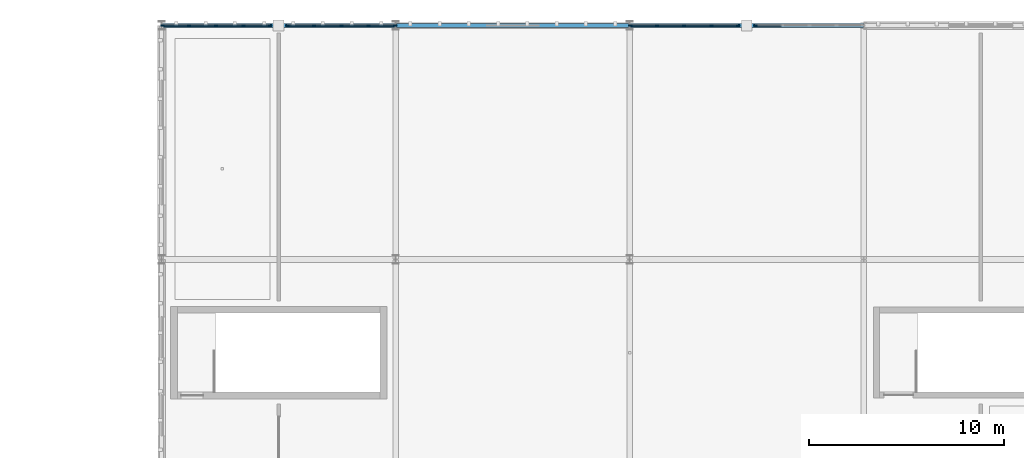
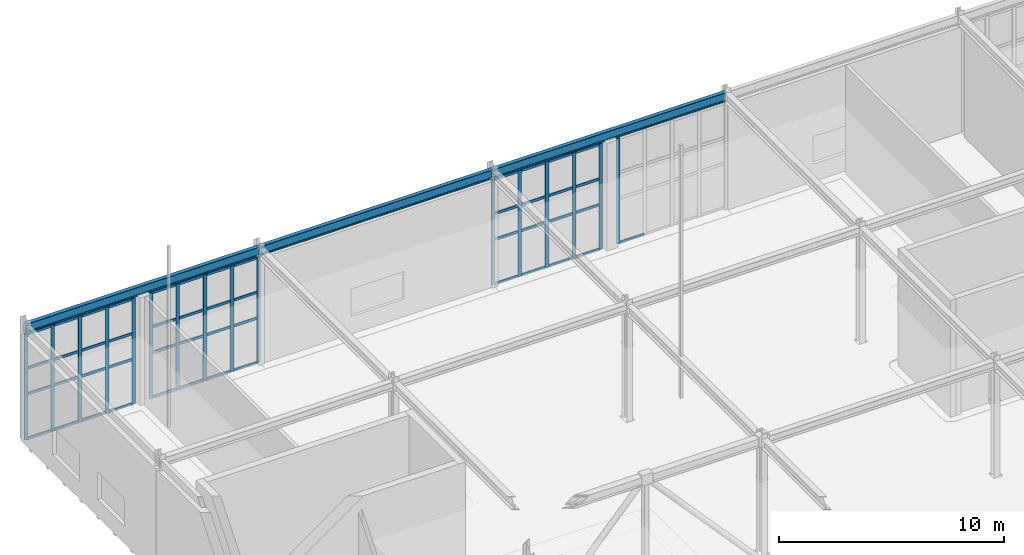
# One storey, part 22 of 62: 65 members, 3 beams, 4 elements without a shape of their own.
"""IFC4 building model written with IfcOpenShell, lengths in metres."""

from ifc_helpers import new_model, si_unit, direction, frame, origin, origin_2d, place, context, subcontext, project, spatial, rectangle, i_section, extrude, material, layer, layer_set, material_profile, profile_set, type_object, element, aggregate, save


model = new_model("IFC4")

# Units and contexts
model_context = context("Model", 3, precision=1e-05, world=origin(), true_north=direction((0.0, 1.0)))
body_context = subcontext(model_context, "Body", "Model", "MODEL_VIEW")
ifc_project = project(units=[si_unit("LENGTHUNIT", "METRE"), si_unit("AREAUNIT", "SQUARE_METRE"), si_unit("VOLUMEUNIT", "CUBIC_METRE"), si_unit("PLANEANGLEUNIT", "RADIAN"), si_unit("MASSUNIT", "GRAM", prefix="KILO")], contexts=[model_context])

# Site, building, storey
site_placement = place(None, origin())
site = spatial("IfcSite", under=ifc_project, at=site_placement, CompositionType="ELEMENT")
building_placement = place(site_placement, origin())
building = spatial("IfcBuilding", under=site, at=building_placement, Name="Zlatogorsky Bluff Art Gallery", CompositionType="ELEMENT")
storey_placement = place(building_placement, frame((0.0, 0.0, 16.800048828125)))
storey = spatial("IfcBuildingStorey", under=building, at=storey_placement, Name="L03", CompositionType="ELEMENT", Elevation=16.800048828125)

# Beams
ifc_material_1 = material(Name="Steel S355", Category="steel")
ifc_material_profile_1 = material_profile(ifc_material_1, i_section(OverallWidth=0.199951171875, OverallDepth=0.5, WebThickness=0.01025390625, FlangeThickness=0.01611328125, FilletRadius=0.02099609375, at=origin_2d()), Name="IPE 500")
ifc_profile_set_1 = profile_set([ifc_material_profile_1], Name="Steel S355")
beam_type = type_object("IfcBeamType", Name="Beam SP-01 IPE 500", PredefinedType="SPANDREL", material=ifc_profile_set_1)
for number, where, z_axis, x_axis, name in (
    (1, (0.014892578125, 120.0, 6.079833984375), (1.0, 0.0, 0.0), (0.0, 1.0, 0.0), "Primary girder SP-01 L03 A-B/12"),
    (2, (12.014892578125, 120.0, 6.079833984375), (1.0, 0.0, 0.0), (0.0, 1.0, 0.0), "Primary girder SP-01 L03 B-C/12"),
    (3, (24.014892578125, 120.0, 6.079833984375), (1.0, 0.0, 0.0), (0.0, 1.0, 0.0), "Primary girder SP-01 L03 C-D/12"),
):
    element("IfcBeam", number, at=place(storey_placement, frame(where, z_axis=z_axis, x_axis=x_axis)), inside=storey, type_object=beam_type, Name=name, PredefinedType="SPANDREL", context=body_context, shape_type="SweptSolid", body=[
        extrude(i_section(OverallWidth=0.199951171875, OverallDepth=0.5, WebThickness=0.01025390625, FlangeThickness=0.01611328125, FilletRadius=0.02099609375, at=origin_2d()), origin(), (0.0, 0.0, 1.0), 11.97021484375),
    ])

# Curtain wall, members
ifc_material_2 = material(Name="Anodised Bronze Aluminium and Low-Iron Triple Glazing", Category="aluminium")
ifc_layer = layer(ifc_material_2, 0.199951171875)
ifc_layer_set = layer_set([ifc_layer], Name="Curtain Wall CW-02")
curtain_wall_type = type_object("IfcCurtainWallType", Name="Curtain Wall CW-02", PredefinedType="USERDEFINED", material=ifc_layer_set)
curtain_wall_1_placement = place(storey_placement, origin())
curtain_wall_1 = element("IfcCurtainWall", 4, at=curtain_wall_1_placement, inside=storey, type_object=curtain_wall_type, Name="Unitised curtain wall CW-02 L03 N 0.10-A", ObjectType="CURTAIN WALL", PredefinedType="USERDEFINED")
ifc_material_3 = material(Name="Anodised Bronze Aluminium", Category="aluminium")
ifc_material_profile_2 = material_profile(ifc_material_3, rectangle(XDim=0.06494140625, YDim=0.179931640625, at=origin_2d()), Name="ALU MULLION 65x180")
ifc_profile_set_2 = profile_set([ifc_material_profile_2], Name="Anodised Bronze Aluminium")
member_type_1 = type_object("IfcMemberType", Name="Curtain Mullion ML-01", PredefinedType="MULLION", material=ifc_profile_set_2)
member_1_placement = place(storey_placement, frame((11.967529296875, 120.0, 0.0), z_axis=(0.0, 0.0, 1.0), x_axis=(0.0, -1.0, 0.0)))
member_1 = element("IfcMember", 5, at=member_1_placement, type_object=member_type_1, Name="CW-02 mullion 1", PredefinedType="MULLION", context=body_context, shape_type="SweptSolid", body=[
    extrude(rectangle(XDim=0.06494140625, YDim=0.179931640625, at=origin_2d()), origin(), (0.0, 0.0, 1.0), 5.75),
])
member_2_placement = place(storey_placement, frame((10.60498046875, 120.0, 0.0), z_axis=(0.0, 0.0, 1.0), x_axis=(0.0, -1.0, 0.0)))
member_2 = element("IfcMember", 6, at=member_2_placement, type_object=member_type_1, Name="CW-02 mullion 2", PredefinedType="MULLION", context=body_context, shape_type="SweptSolid", body=[
    extrude(rectangle(XDim=0.06494140625, YDim=0.179931640625, at=origin_2d()), origin(), (0.0, 0.0, 1.0), 5.75),
])
member_3_placement = place(storey_placement, frame((9.2099609375, 120.0, 0.0), z_axis=(0.0, 0.0, 1.0), x_axis=(0.0, -1.0, 0.0)))
member_3 = element("IfcMember", 7, at=member_3_placement, type_object=member_type_1, Name="CW-02 mullion 3", PredefinedType="MULLION", context=body_context, shape_type="SweptSolid", body=[
    extrude(rectangle(XDim=0.06494140625, YDim=0.179931640625, at=origin_2d()), origin(), (0.0, 0.0, 1.0), 5.75),
])
member_4_placement = place(storey_placement, frame((7.81494140625, 120.0, 0.0), z_axis=(0.0, 0.0, 1.0), x_axis=(0.0, -1.0, 0.0)))
member_4 = element("IfcMember", 8, at=member_4_placement, type_object=member_type_1, Name="CW-02 mullion 4", PredefinedType="MULLION", context=body_context, shape_type="SweptSolid", body=[
    extrude(rectangle(XDim=0.06494140625, YDim=0.179931640625, at=origin_2d()), origin(), (0.0, 0.0, 1.0), 5.75),
])
member_5_placement = place(storey_placement, frame((6.452392578125, 120.0, 0.0), z_axis=(0.0, 0.0, 1.0), x_axis=(0.0, -1.0, 0.0)))
member_5 = element("IfcMember", 9, at=member_5_placement, type_object=member_type_1, Name="CW-02 mullion 5", PredefinedType="MULLION", context=body_context, shape_type="SweptSolid", body=[
    extrude(rectangle(XDim=0.06494140625, YDim=0.179931640625, at=origin_2d()), origin(), (0.0, 0.0, 1.0), 5.75),
])

curtain_wall_2_placement = place(storey_placement, origin())
curtain_wall_2 = element("IfcCurtainWall", 10, at=curtain_wall_2_placement, inside=storey, type_object=curtain_wall_type, Name="Unitised curtain wall CW-02 L03 N 0.10-B", ObjectType="CURTAIN WALL", PredefinedType="USERDEFINED")
member_6_placement = place(storey_placement, frame((5.547607421875, 120.0, 0.0), z_axis=(0.0, 0.0, 1.0), x_axis=(0.0, -1.0, 0.0)))
member_6 = element("IfcMember", 11, at=member_6_placement, type_object=member_type_1, Name="CW-02 mullion 1", PredefinedType="MULLION", context=body_context, shape_type="SweptSolid", body=[
    extrude(rectangle(XDim=0.06494140625, YDim=0.179931640625, at=origin_2d()), origin(), (0.0, 0.0, 1.0), 5.75),
])
member_7_placement = place(storey_placement, frame((4.18505859375, 120.0, 0.0), z_axis=(0.0, 0.0, 1.0), x_axis=(0.0, -1.0, 0.0)))
member_7 = element("IfcMember", 12, at=member_7_placement, type_object=member_type_1, Name="CW-02 mullion 2", PredefinedType="MULLION", context=body_context, shape_type="SweptSolid", body=[
    extrude(rectangle(XDim=0.06494140625, YDim=0.179931640625, at=origin_2d()), origin(), (0.0, 0.0, 1.0), 5.75),
])
member_8_placement = place(storey_placement, frame((2.7900390625, 120.0, 0.0), z_axis=(0.0, 0.0, 1.0), x_axis=(0.0, -1.0, 0.0)))
member_8 = element("IfcMember", 13, at=member_8_placement, type_object=member_type_1, Name="CW-02 mullion 3", PredefinedType="MULLION", context=body_context, shape_type="SweptSolid", body=[
    extrude(rectangle(XDim=0.06494140625, YDim=0.179931640625, at=origin_2d()), origin(), (0.0, 0.0, 1.0), 5.75),
])
member_9_placement = place(storey_placement, frame((1.39501953125, 120.0, 0.0), z_axis=(0.0, 0.0, 1.0), x_axis=(0.0, -1.0, 0.0)))
member_9 = element("IfcMember", 14, at=member_9_placement, type_object=member_type_1, Name="CW-02 mullion 4", PredefinedType="MULLION", context=body_context, shape_type="SweptSolid", body=[
    extrude(rectangle(XDim=0.06494140625, YDim=0.179931640625, at=origin_2d()), origin(), (0.0, 0.0, 1.0), 5.75),
])
member_10_placement = place(storey_placement, frame((0.032470703125, 120.0, 0.0), z_axis=(0.0, 0.0, 1.0), x_axis=(0.0, -1.0, 0.0)))
member_10 = element("IfcMember", 15, at=member_10_placement, type_object=member_type_1, Name="CW-02 mullion 5", PredefinedType="MULLION", context=body_context, shape_type="SweptSolid", body=[
    extrude(rectangle(XDim=0.06494140625, YDim=0.179931640625, at=origin_2d()), origin(), (0.0, 0.0, 1.0), 5.75),
])

# Curtain wall, member
curtain_wall_3_placement = place(storey_placement, origin())
curtain_wall_3 = element("IfcCurtainWall", 16, at=curtain_wall_3_placement, inside=storey, type_object=curtain_wall_type, Name="Unitised curtain wall CW-02 L03 N 2.10-A", ObjectType="CURTAIN WALL", PredefinedType="USERDEFINED")
member_11_placement = place(storey_placement, frame((30.452392578125, 120.0, 0.0), z_axis=(0.0, 0.0, 1.0), x_axis=(0.0, -1.0, 0.0)))
member_11 = element("IfcMember", 17, at=member_11_placement, type_object=member_type_1, Name="CW-02 mullion 5", PredefinedType="MULLION", context=body_context, shape_type="SweptSolid", body=[
    extrude(rectangle(XDim=0.06494140625, YDim=0.179931640625, at=origin_2d()), origin(), (0.0, 0.0, 1.0), 5.75),
])

# Curtain wall, members
curtain_wall_4_placement = place(storey_placement, origin())
curtain_wall_4 = element("IfcCurtainWall", 18, at=curtain_wall_4_placement, inside=storey, type_object=curtain_wall_type, Name="Unitised curtain wall CW-02 L03 N 2.10-B", ObjectType="CURTAIN WALL", PredefinedType="USERDEFINED")
member_12_placement = place(storey_placement, frame((29.547607421875, 120.0, 0.0), z_axis=(0.0, 0.0, 1.0), x_axis=(0.0, -1.0, 0.0)))
member_12 = element("IfcMember", 19, at=member_12_placement, type_object=member_type_1, Name="CW-02 mullion 1", PredefinedType="MULLION", context=body_context, shape_type="SweptSolid", body=[
    extrude(rectangle(XDim=0.06494140625, YDim=0.179931640625, at=origin_2d()), origin(), (0.0, 0.0, 1.0), 5.75),
])
member_13_placement = place(storey_placement, frame((28.18505859375, 120.0, 0.0), z_axis=(0.0, 0.0, 1.0), x_axis=(0.0, -1.0, 0.0)))
member_13 = element("IfcMember", 20, at=member_13_placement, type_object=member_type_1, Name="CW-02 mullion 2", PredefinedType="MULLION", context=body_context, shape_type="SweptSolid", body=[
    extrude(rectangle(XDim=0.06494140625, YDim=0.179931640625, at=origin_2d()), origin(), (0.0, 0.0, 1.0), 5.75),
])
member_14_placement = place(storey_placement, frame((26.7900390625, 120.0, 0.0), z_axis=(0.0, 0.0, 1.0), x_axis=(0.0, -1.0, 0.0)))
member_14 = element("IfcMember", 21, at=member_14_placement, type_object=member_type_1, Name="CW-02 mullion 3", PredefinedType="MULLION", context=body_context, shape_type="SweptSolid", body=[
    extrude(rectangle(XDim=0.06494140625, YDim=0.179931640625, at=origin_2d()), origin(), (0.0, 0.0, 1.0), 5.75),
])
member_15_placement = place(storey_placement, frame((25.39501953125, 120.0, 0.0), z_axis=(0.0, 0.0, 1.0), x_axis=(0.0, -1.0, 0.0)))
member_15 = element("IfcMember", 22, at=member_15_placement, type_object=member_type_1, Name="CW-02 mullion 4", PredefinedType="MULLION", context=body_context, shape_type="SweptSolid", body=[
    extrude(rectangle(XDim=0.06494140625, YDim=0.179931640625, at=origin_2d()), origin(), (0.0, 0.0, 1.0), 5.75),
])
member_16_placement = place(storey_placement, frame((24.032470703125, 120.0, 0.0), z_axis=(0.0, 0.0, 1.0), x_axis=(0.0, -1.0, 0.0)))
member_16 = element("IfcMember", 23, at=member_16_placement, type_object=member_type_1, Name="CW-02 mullion 5", PredefinedType="MULLION", context=body_context, shape_type="SweptSolid", body=[
    extrude(rectangle(XDim=0.06494140625, YDim=0.179931640625, at=origin_2d()), origin(), (0.0, 0.0, 1.0), 5.75),
])

# Member
ifc_material_profile_3 = material_profile(ifc_material_3, rectangle(XDim=0.06494140625, YDim=0.139892578125, at=origin_2d()), Name="ALU TRANSOM 65x140")
ifc_profile_set_3 = profile_set([ifc_material_profile_3], Name="Anodised Bronze Aluminium")
member_type_2 = type_object("IfcMemberType", Name="Curtain Transom TR-01", PredefinedType="USERDEFINED", material=ifc_profile_set_3)
member_17_placement = place(storey_placement, frame((11.93505859375, 120.0, 0.032470703125), z_axis=(-1.0, 0.0, 0.0), x_axis=(0.0, -1.0, 0.0)))
member_17 = element("IfcMember", 24, at=member_17_placement, type_object=member_type_2, Name="CW-02 transom 1.1", ObjectType="TRANSOM", PredefinedType="USERDEFINED", context=body_context, shape_type="SweptSolid", body=[
    extrude(rectangle(XDim=0.06494140625, YDim=0.139892578125, at=origin_2d()), origin(), (0.0, 0.0, 1.0), 1.297607421875),
])

member_18_placement = place(storey_placement, frame((11.93505859375, 120.0, 2.449951171875), z_axis=(-1.0, 0.0, 0.0), x_axis=(0.0, -1.0, 0.0)))
member_18 = element("IfcMember", 25, at=member_18_placement, type_object=member_type_2, Name="CW-02 transom 1.2", ObjectType="TRANSOM", PredefinedType="USERDEFINED", context=body_context, shape_type="SweptSolid", body=[
    extrude(rectangle(XDim=0.06494140625, YDim=0.139892578125, at=origin_2d()), origin(), (0.0, 0.0, 1.0), 1.297607421875),
])

member_19_placement = place(storey_placement, frame((11.93505859375, 120.0, 3.849853515625), z_axis=(-1.0, 0.0, 0.0), x_axis=(0.0, -1.0, 0.0)))
member_19 = element("IfcMember", 26, at=member_19_placement, type_object=member_type_2, Name="CW-02 transom 1.3", ObjectType="TRANSOM", PredefinedType="USERDEFINED", context=body_context, shape_type="SweptSolid", body=[
    extrude(rectangle(XDim=0.06494140625, YDim=0.139892578125, at=origin_2d()), origin(), (0.0, 0.0, 1.0), 1.297607421875),
])

member_20_placement = place(storey_placement, frame((11.93505859375, 120.0, 5.717529296875), z_axis=(-1.0, 0.0, 0.0), x_axis=(0.0, -1.0, 0.0)))
member_20 = element("IfcMember", 27, at=member_20_placement, type_object=member_type_2, Name="CW-02 transom 1.4", ObjectType="TRANSOM", PredefinedType="USERDEFINED", context=body_context, shape_type="SweptSolid", body=[
    extrude(rectangle(XDim=0.06494140625, YDim=0.139892578125, at=origin_2d()), origin(), (0.0, 0.0, 1.0), 1.297607421875),
])

member_21_placement = place(storey_placement, frame((10.572509765625, 120.0, 0.032470703125), z_axis=(-1.0, 0.0, 0.0), x_axis=(0.0, -1.0, 0.0)))
member_21 = element("IfcMember", 28, at=member_21_placement, type_object=member_type_2, Name="CW-02 transom 2.1", ObjectType="TRANSOM", PredefinedType="USERDEFINED", context=body_context, shape_type="SweptSolid", body=[
    extrude(rectangle(XDim=0.06494140625, YDim=0.139892578125, at=origin_2d()), origin(), (0.0, 0.0, 1.0), 1.330078125),
])

member_22_placement = place(storey_placement, frame((10.572509765625, 120.0, 2.449951171875), z_axis=(-1.0, 0.0, 0.0), x_axis=(0.0, -1.0, 0.0)))
member_22 = element("IfcMember", 29, at=member_22_placement, type_object=member_type_2, Name="CW-02 transom 2.2", ObjectType="TRANSOM", PredefinedType="USERDEFINED", context=body_context, shape_type="SweptSolid", body=[
    extrude(rectangle(XDim=0.06494140625, YDim=0.139892578125, at=origin_2d()), origin(), (0.0, 0.0, 1.0), 1.330078125),
])

member_23_placement = place(storey_placement, frame((10.572509765625, 120.0, 3.849853515625), z_axis=(-1.0, 0.0, 0.0), x_axis=(0.0, -1.0, 0.0)))
member_23 = element("IfcMember", 30, at=member_23_placement, type_object=member_type_2, Name="CW-02 transom 2.3", ObjectType="TRANSOM", PredefinedType="USERDEFINED", context=body_context, shape_type="SweptSolid", body=[
    extrude(rectangle(XDim=0.06494140625, YDim=0.139892578125, at=origin_2d()), origin(), (0.0, 0.0, 1.0), 1.330078125),
])

member_24_placement = place(storey_placement, frame((10.572509765625, 120.0, 5.717529296875), z_axis=(-1.0, 0.0, 0.0), x_axis=(0.0, -1.0, 0.0)))
member_24 = element("IfcMember", 31, at=member_24_placement, type_object=member_type_2, Name="CW-02 transom 2.4", ObjectType="TRANSOM", PredefinedType="USERDEFINED", context=body_context, shape_type="SweptSolid", body=[
    extrude(rectangle(XDim=0.06494140625, YDim=0.139892578125, at=origin_2d()), origin(), (0.0, 0.0, 1.0), 1.330078125),
])

member_25_placement = place(storey_placement, frame((9.177490234375, 120.0, 0.032470703125), z_axis=(-1.0, 0.0, 0.0), x_axis=(0.0, -1.0, 0.0)))
member_25 = element("IfcMember", 32, at=member_25_placement, type_object=member_type_2, Name="CW-02 transom 3.1", ObjectType="TRANSOM", PredefinedType="USERDEFINED", context=body_context, shape_type="SweptSolid", body=[
    extrude(rectangle(XDim=0.06494140625, YDim=0.139892578125, at=origin_2d()), origin(), (0.0, 0.0, 1.0), 1.330078125),
])

member_26_placement = place(storey_placement, frame((9.177490234375, 120.0, 2.449951171875), z_axis=(-1.0, 0.0, 0.0), x_axis=(0.0, -1.0, 0.0)))
member_26 = element("IfcMember", 33, at=member_26_placement, type_object=member_type_2, Name="CW-02 transom 3.2", ObjectType="TRANSOM", PredefinedType="USERDEFINED", context=body_context, shape_type="SweptSolid", body=[
    extrude(rectangle(XDim=0.06494140625, YDim=0.139892578125, at=origin_2d()), origin(), (0.0, 0.0, 1.0), 1.330078125),
])

member_27_placement = place(storey_placement, frame((9.177490234375, 120.0, 3.849853515625), z_axis=(-1.0, 0.0, 0.0), x_axis=(0.0, -1.0, 0.0)))
member_27 = element("IfcMember", 34, at=member_27_placement, type_object=member_type_2, Name="CW-02 transom 3.3", ObjectType="TRANSOM", PredefinedType="USERDEFINED", context=body_context, shape_type="SweptSolid", body=[
    extrude(rectangle(XDim=0.06494140625, YDim=0.139892578125, at=origin_2d()), origin(), (0.0, 0.0, 1.0), 1.330078125),
])

member_28_placement = place(storey_placement, frame((9.177490234375, 120.0, 5.717529296875), z_axis=(-1.0, 0.0, 0.0), x_axis=(0.0, -1.0, 0.0)))
member_28 = element("IfcMember", 35, at=member_28_placement, type_object=member_type_2, Name="CW-02 transom 3.4", ObjectType="TRANSOM", PredefinedType="USERDEFINED", context=body_context, shape_type="SweptSolid", body=[
    extrude(rectangle(XDim=0.06494140625, YDim=0.139892578125, at=origin_2d()), origin(), (0.0, 0.0, 1.0), 1.330078125),
])

member_29_placement = place(storey_placement, frame((7.782470703125, 120.0, 0.032470703125), z_axis=(-1.0, 0.0, 0.0), x_axis=(0.0, -1.0, 0.0)))
member_29 = element("IfcMember", 36, at=member_29_placement, type_object=member_type_2, Name="CW-02 transom 4.1", ObjectType="TRANSOM", PredefinedType="USERDEFINED", context=body_context, shape_type="SweptSolid", body=[
    extrude(rectangle(XDim=0.06494140625, YDim=0.139892578125, at=origin_2d()), origin(), (0.0, 0.0, 1.0), 1.29736328125),
])

member_30_placement = place(storey_placement, frame((7.782470703125, 120.0, 2.449951171875), z_axis=(-1.0, 0.0, 0.0), x_axis=(0.0, -1.0, 0.0)))
member_30 = element("IfcMember", 37, at=member_30_placement, type_object=member_type_2, Name="CW-02 transom 4.2", ObjectType="TRANSOM", PredefinedType="USERDEFINED", context=body_context, shape_type="SweptSolid", body=[
    extrude(rectangle(XDim=0.06494140625, YDim=0.139892578125, at=origin_2d()), origin(), (0.0, 0.0, 1.0), 1.29736328125),
])

member_31_placement = place(storey_placement, frame((7.782470703125, 120.0, 3.849853515625), z_axis=(-1.0, 0.0, 0.0), x_axis=(0.0, -1.0, 0.0)))
member_31 = element("IfcMember", 38, at=member_31_placement, type_object=member_type_2, Name="CW-02 transom 4.3", ObjectType="TRANSOM", PredefinedType="USERDEFINED", context=body_context, shape_type="SweptSolid", body=[
    extrude(rectangle(XDim=0.06494140625, YDim=0.139892578125, at=origin_2d()), origin(), (0.0, 0.0, 1.0), 1.29736328125),
])

member_32_placement = place(storey_placement, frame((7.782470703125, 120.0, 5.717529296875), z_axis=(-1.0, 0.0, 0.0), x_axis=(0.0, -1.0, 0.0)))
member_32 = element("IfcMember", 39, at=member_32_placement, type_object=member_type_2, Name="CW-02 transom 4.4", ObjectType="TRANSOM", PredefinedType="USERDEFINED", context=body_context, shape_type="SweptSolid", body=[
    extrude(rectangle(XDim=0.06494140625, YDim=0.139892578125, at=origin_2d()), origin(), (0.0, 0.0, 1.0), 1.29736328125),
])

aggregate(curtain_wall_1, [member_1, member_2, member_3, member_4, member_5, member_17, member_18, member_19, member_20, member_21, member_22, member_23, member_24, member_25, member_26, member_27, member_28, member_29, member_30, member_31, member_32])

member_33_placement = place(storey_placement, frame((5.514892578125, 120.0, 0.032470703125), z_axis=(-1.0, 0.0, 0.0), x_axis=(0.0, -1.0, 0.0)))
member_33 = element("IfcMember", 40, at=member_33_placement, type_object=member_type_2, Name="CW-02 transom 1.1", ObjectType="TRANSOM", PredefinedType="USERDEFINED", context=body_context, shape_type="SweptSolid", body=[
    extrude(rectangle(XDim=0.06494140625, YDim=0.139892578125, at=origin_2d()), origin(), (0.0, 0.0, 1.0), 1.29736328125),
])

member_34_placement = place(storey_placement, frame((5.514892578125, 120.0, 2.449951171875), z_axis=(-1.0, 0.0, 0.0), x_axis=(0.0, -1.0, 0.0)))
member_34 = element("IfcMember", 41, at=member_34_placement, type_object=member_type_2, Name="CW-02 transom 1.2", ObjectType="TRANSOM", PredefinedType="USERDEFINED", context=body_context, shape_type="SweptSolid", body=[
    extrude(rectangle(XDim=0.06494140625, YDim=0.139892578125, at=origin_2d()), origin(), (0.0, 0.0, 1.0), 1.29736328125),
])

member_35_placement = place(storey_placement, frame((5.514892578125, 120.0, 3.849853515625), z_axis=(-1.0, 0.0, 0.0), x_axis=(0.0, -1.0, 0.0)))
member_35 = element("IfcMember", 42, at=member_35_placement, type_object=member_type_2, Name="CW-02 transom 1.3", ObjectType="TRANSOM", PredefinedType="USERDEFINED", context=body_context, shape_type="SweptSolid", body=[
    extrude(rectangle(XDim=0.06494140625, YDim=0.139892578125, at=origin_2d()), origin(), (0.0, 0.0, 1.0), 1.29736328125),
])

member_36_placement = place(storey_placement, frame((5.514892578125, 120.0, 5.717529296875), z_axis=(-1.0, 0.0, 0.0), x_axis=(0.0, -1.0, 0.0)))
member_36 = element("IfcMember", 43, at=member_36_placement, type_object=member_type_2, Name="CW-02 transom 1.4", ObjectType="TRANSOM", PredefinedType="USERDEFINED", context=body_context, shape_type="SweptSolid", body=[
    extrude(rectangle(XDim=0.06494140625, YDim=0.139892578125, at=origin_2d()), origin(), (0.0, 0.0, 1.0), 1.29736328125),
])

member_37_placement = place(storey_placement, frame((4.152587890625, 120.0, 0.032470703125), z_axis=(-1.0, 0.0, 0.0), x_axis=(0.0, -1.0, 0.0)))
member_37 = element("IfcMember", 44, at=member_37_placement, type_object=member_type_2, Name="CW-02 transom 2.1", ObjectType="TRANSOM", PredefinedType="USERDEFINED", context=body_context, shape_type="SweptSolid", body=[
    extrude(rectangle(XDim=0.06494140625, YDim=0.139892578125, at=origin_2d()), origin(), (0.0, 0.0, 1.0), 1.330078125),
])

member_38_placement = place(storey_placement, frame((4.152587890625, 120.0, 2.449951171875), z_axis=(-1.0, 0.0, 0.0), x_axis=(0.0, -1.0, 0.0)))
member_38 = element("IfcMember", 45, at=member_38_placement, type_object=member_type_2, Name="CW-02 transom 2.2", ObjectType="TRANSOM", PredefinedType="USERDEFINED", context=body_context, shape_type="SweptSolid", body=[
    extrude(rectangle(XDim=0.06494140625, YDim=0.139892578125, at=origin_2d()), origin(), (0.0, 0.0, 1.0), 1.330078125),
])

member_39_placement = place(storey_placement, frame((4.152587890625, 120.0, 3.849853515625), z_axis=(-1.0, 0.0, 0.0), x_axis=(0.0, -1.0, 0.0)))
member_39 = element("IfcMember", 46, at=member_39_placement, type_object=member_type_2, Name="CW-02 transom 2.3", ObjectType="TRANSOM", PredefinedType="USERDEFINED", context=body_context, shape_type="SweptSolid", body=[
    extrude(rectangle(XDim=0.06494140625, YDim=0.139892578125, at=origin_2d()), origin(), (0.0, 0.0, 1.0), 1.330078125),
])

member_40_placement = place(storey_placement, frame((4.152587890625, 120.0, 5.717529296875), z_axis=(-1.0, 0.0, 0.0), x_axis=(0.0, -1.0, 0.0)))
member_40 = element("IfcMember", 47, at=member_40_placement, type_object=member_type_2, Name="CW-02 transom 2.4", ObjectType="TRANSOM", PredefinedType="USERDEFINED", context=body_context, shape_type="SweptSolid", body=[
    extrude(rectangle(XDim=0.06494140625, YDim=0.139892578125, at=origin_2d()), origin(), (0.0, 0.0, 1.0), 1.330078125),
])

member_41_placement = place(storey_placement, frame((2.757568359375, 120.0, 0.032470703125), z_axis=(-1.0, 0.0, 0.0), x_axis=(0.0, -1.0, 0.0)))
member_41 = element("IfcMember", 48, at=member_41_placement, type_object=member_type_2, Name="CW-02 transom 3.1", ObjectType="TRANSOM", PredefinedType="USERDEFINED", context=body_context, shape_type="SweptSolid", body=[
    extrude(rectangle(XDim=0.06494140625, YDim=0.139892578125, at=origin_2d()), origin(), (0.0, 0.0, 1.0), 1.330078125),
])

member_42_placement = place(storey_placement, frame((2.757568359375, 120.0, 2.449951171875), z_axis=(-1.0, 0.0, 0.0), x_axis=(0.0, -1.0, 0.0)))
member_42 = element("IfcMember", 49, at=member_42_placement, type_object=member_type_2, Name="CW-02 transom 3.2", ObjectType="TRANSOM", PredefinedType="USERDEFINED", context=body_context, shape_type="SweptSolid", body=[
    extrude(rectangle(XDim=0.06494140625, YDim=0.139892578125, at=origin_2d()), origin(), (0.0, 0.0, 1.0), 1.330078125),
])

member_43_placement = place(storey_placement, frame((2.757568359375, 120.0, 3.849853515625), z_axis=(-1.0, 0.0, 0.0), x_axis=(0.0, -1.0, 0.0)))
member_43 = element("IfcMember", 50, at=member_43_placement, type_object=member_type_2, Name="CW-02 transom 3.3", ObjectType="TRANSOM", PredefinedType="USERDEFINED", context=body_context, shape_type="SweptSolid", body=[
    extrude(rectangle(XDim=0.06494140625, YDim=0.139892578125, at=origin_2d()), origin(), (0.0, 0.0, 1.0), 1.330078125),
])

member_44_placement = place(storey_placement, frame((2.757568359375, 120.0, 5.717529296875), z_axis=(-1.0, 0.0, 0.0), x_axis=(0.0, -1.0, 0.0)))
member_44 = element("IfcMember", 51, at=member_44_placement, type_object=member_type_2, Name="CW-02 transom 3.4", ObjectType="TRANSOM", PredefinedType="USERDEFINED", context=body_context, shape_type="SweptSolid", body=[
    extrude(rectangle(XDim=0.06494140625, YDim=0.139892578125, at=origin_2d()), origin(), (0.0, 0.0, 1.0), 1.330078125),
])

member_45_placement = place(storey_placement, frame((1.362548828125, 120.0, 0.032470703125), z_axis=(-1.0, 0.0, 0.0), x_axis=(0.0, -1.0, 0.0)))
member_45 = element("IfcMember", 52, at=member_45_placement, type_object=member_type_2, Name="CW-02 transom 4.1", ObjectType="TRANSOM", PredefinedType="USERDEFINED", context=body_context, shape_type="SweptSolid", body=[
    extrude(rectangle(XDim=0.06494140625, YDim=0.139892578125, at=origin_2d()), origin(), (0.0, 0.0, 1.0), 1.297607421875),
])

member_46_placement = place(storey_placement, frame((1.362548828125, 120.0, 2.449951171875), z_axis=(-1.0, 0.0, 0.0), x_axis=(0.0, -1.0, 0.0)))
member_46 = element("IfcMember", 53, at=member_46_placement, type_object=member_type_2, Name="CW-02 transom 4.2", ObjectType="TRANSOM", PredefinedType="USERDEFINED", context=body_context, shape_type="SweptSolid", body=[
    extrude(rectangle(XDim=0.06494140625, YDim=0.139892578125, at=origin_2d()), origin(), (0.0, 0.0, 1.0), 1.297607421875),
])

member_47_placement = place(storey_placement, frame((1.362548828125, 120.0, 3.849853515625), z_axis=(-1.0, 0.0, 0.0), x_axis=(0.0, -1.0, 0.0)))
member_47 = element("IfcMember", 54, at=member_47_placement, type_object=member_type_2, Name="CW-02 transom 4.3", ObjectType="TRANSOM", PredefinedType="USERDEFINED", context=body_context, shape_type="SweptSolid", body=[
    extrude(rectangle(XDim=0.06494140625, YDim=0.139892578125, at=origin_2d()), origin(), (0.0, 0.0, 1.0), 1.297607421875),
])

member_48_placement = place(storey_placement, frame((1.362548828125, 120.0, 5.717529296875), z_axis=(-1.0, 0.0, 0.0), x_axis=(0.0, -1.0, 0.0)))
member_48 = element("IfcMember", 55, at=member_48_placement, type_object=member_type_2, Name="CW-02 transom 4.4", ObjectType="TRANSOM", PredefinedType="USERDEFINED", context=body_context, shape_type="SweptSolid", body=[
    extrude(rectangle(XDim=0.06494140625, YDim=0.139892578125, at=origin_2d()), origin(), (0.0, 0.0, 1.0), 1.297607421875),
])

aggregate(curtain_wall_2, [member_6, member_7, member_8, member_9, member_10, member_33, member_34, member_35, member_36, member_37, member_38, member_39, member_40, member_41, member_42, member_43, member_44, member_45, member_46, member_47, member_48])

member_49_placement = place(storey_placement, frame((31.782470703125, 120.0, 0.032470703125), z_axis=(-1.0, 0.0, 0.0), x_axis=(0.0, -1.0, 0.0)))
member_49 = element("IfcMember", 56, at=member_49_placement, type_object=member_type_2, Name="CW-02 transom 4.1", ObjectType="TRANSOM", PredefinedType="USERDEFINED", context=body_context, shape_type="SweptSolid", body=[
    extrude(rectangle(XDim=0.06494140625, YDim=0.139892578125, at=origin_2d()), origin(), (0.0, 0.0, 1.0), 1.29736328125),
])

aggregate(curtain_wall_3, [member_11, member_49])

member_50_placement = place(storey_placement, frame((29.514892578125, 120.0, 0.032470703125), z_axis=(-1.0, 0.0, 0.0), x_axis=(0.0, -1.0, 0.0)))
member_50 = element("IfcMember", 57, at=member_50_placement, type_object=member_type_2, Name="CW-02 transom 1.1", ObjectType="TRANSOM", PredefinedType="USERDEFINED", context=body_context, shape_type="SweptSolid", body=[
    extrude(rectangle(XDim=0.06494140625, YDim=0.139892578125, at=origin_2d()), origin(), (0.0, 0.0, 1.0), 1.29736328125),
])

member_51_placement = place(storey_placement, frame((29.514892578125, 120.0, 2.449951171875), z_axis=(-1.0, 0.0, 0.0), x_axis=(0.0, -1.0, 0.0)))
member_51 = element("IfcMember", 58, at=member_51_placement, type_object=member_type_2, Name="CW-02 transom 1.2", ObjectType="TRANSOM", PredefinedType="USERDEFINED", context=body_context, shape_type="SweptSolid", body=[
    extrude(rectangle(XDim=0.06494140625, YDim=0.139892578125, at=origin_2d()), origin(), (0.0, 0.0, 1.0), 1.29736328125),
])

member_52_placement = place(storey_placement, frame((29.514892578125, 120.0, 3.849853515625), z_axis=(-1.0, 0.0, 0.0), x_axis=(0.0, -1.0, 0.0)))
member_52 = element("IfcMember", 59, at=member_52_placement, type_object=member_type_2, Name="CW-02 transom 1.3", ObjectType="TRANSOM", PredefinedType="USERDEFINED", context=body_context, shape_type="SweptSolid", body=[
    extrude(rectangle(XDim=0.06494140625, YDim=0.139892578125, at=origin_2d()), origin(), (0.0, 0.0, 1.0), 1.29736328125),
])

member_53_placement = place(storey_placement, frame((29.514892578125, 120.0, 5.717529296875), z_axis=(-1.0, 0.0, 0.0), x_axis=(0.0, -1.0, 0.0)))
member_53 = element("IfcMember", 60, at=member_53_placement, type_object=member_type_2, Name="CW-02 transom 1.4", ObjectType="TRANSOM", PredefinedType="USERDEFINED", context=body_context, shape_type="SweptSolid", body=[
    extrude(rectangle(XDim=0.06494140625, YDim=0.139892578125, at=origin_2d()), origin(), (0.0, 0.0, 1.0), 1.29736328125),
])

member_54_placement = place(storey_placement, frame((28.152587890625, 120.0, 0.032470703125), z_axis=(-1.0, 0.0, 0.0), x_axis=(0.0, -1.0, 0.0)))
member_54 = element("IfcMember", 61, at=member_54_placement, type_object=member_type_2, Name="CW-02 transom 2.1", ObjectType="TRANSOM", PredefinedType="USERDEFINED", context=body_context, shape_type="SweptSolid", body=[
    extrude(rectangle(XDim=0.06494140625, YDim=0.139892578125, at=origin_2d()), origin(), (0.0, 0.0, 1.0), 1.330078125),
])

member_55_placement = place(storey_placement, frame((28.152587890625, 120.0, 2.449951171875), z_axis=(-1.0, 0.0, 0.0), x_axis=(0.0, -1.0, 0.0)))
member_55 = element("IfcMember", 62, at=member_55_placement, type_object=member_type_2, Name="CW-02 transom 2.2", ObjectType="TRANSOM", PredefinedType="USERDEFINED", context=body_context, shape_type="SweptSolid", body=[
    extrude(rectangle(XDim=0.06494140625, YDim=0.139892578125, at=origin_2d()), origin(), (0.0, 0.0, 1.0), 1.330078125),
])

member_56_placement = place(storey_placement, frame((28.152587890625, 120.0, 3.849853515625), z_axis=(-1.0, 0.0, 0.0), x_axis=(0.0, -1.0, 0.0)))
member_56 = element("IfcMember", 63, at=member_56_placement, type_object=member_type_2, Name="CW-02 transom 2.3", ObjectType="TRANSOM", PredefinedType="USERDEFINED", context=body_context, shape_type="SweptSolid", body=[
    extrude(rectangle(XDim=0.06494140625, YDim=0.139892578125, at=origin_2d()), origin(), (0.0, 0.0, 1.0), 1.330078125),
])

member_57_placement = place(storey_placement, frame((28.152587890625, 120.0, 5.717529296875), z_axis=(-1.0, 0.0, 0.0), x_axis=(0.0, -1.0, 0.0)))
member_57 = element("IfcMember", 64, at=member_57_placement, type_object=member_type_2, Name="CW-02 transom 2.4", ObjectType="TRANSOM", PredefinedType="USERDEFINED", context=body_context, shape_type="SweptSolid", body=[
    extrude(rectangle(XDim=0.06494140625, YDim=0.139892578125, at=origin_2d()), origin(), (0.0, 0.0, 1.0), 1.330078125),
])

member_58_placement = place(storey_placement, frame((26.757568359375, 120.0, 0.032470703125), z_axis=(-1.0, 0.0, 0.0), x_axis=(0.0, -1.0, 0.0)))
member_58 = element("IfcMember", 65, at=member_58_placement, type_object=member_type_2, Name="CW-02 transom 3.1", ObjectType="TRANSOM", PredefinedType="USERDEFINED", context=body_context, shape_type="SweptSolid", body=[
    extrude(rectangle(XDim=0.06494140625, YDim=0.139892578125, at=origin_2d()), origin(), (0.0, 0.0, 1.0), 1.330078125),
])

member_59_placement = place(storey_placement, frame((26.757568359375, 120.0, 2.449951171875), z_axis=(-1.0, 0.0, 0.0), x_axis=(0.0, -1.0, 0.0)))
member_59 = element("IfcMember", 66, at=member_59_placement, type_object=member_type_2, Name="CW-02 transom 3.2", ObjectType="TRANSOM", PredefinedType="USERDEFINED", context=body_context, shape_type="SweptSolid", body=[
    extrude(rectangle(XDim=0.06494140625, YDim=0.139892578125, at=origin_2d()), origin(), (0.0, 0.0, 1.0), 1.330078125),
])

member_60_placement = place(storey_placement, frame((26.757568359375, 120.0, 3.849853515625), z_axis=(-1.0, 0.0, 0.0), x_axis=(0.0, -1.0, 0.0)))
member_60 = element("IfcMember", 67, at=member_60_placement, type_object=member_type_2, Name="CW-02 transom 3.3", ObjectType="TRANSOM", PredefinedType="USERDEFINED", context=body_context, shape_type="SweptSolid", body=[
    extrude(rectangle(XDim=0.06494140625, YDim=0.139892578125, at=origin_2d()), origin(), (0.0, 0.0, 1.0), 1.330078125),
])

member_61_placement = place(storey_placement, frame((26.757568359375, 120.0, 5.717529296875), z_axis=(-1.0, 0.0, 0.0), x_axis=(0.0, -1.0, 0.0)))
member_61 = element("IfcMember", 68, at=member_61_placement, type_object=member_type_2, Name="CW-02 transom 3.4", ObjectType="TRANSOM", PredefinedType="USERDEFINED", context=body_context, shape_type="SweptSolid", body=[
    extrude(rectangle(XDim=0.06494140625, YDim=0.139892578125, at=origin_2d()), origin(), (0.0, 0.0, 1.0), 1.330078125),
])

member_62_placement = place(storey_placement, frame((25.362548828125, 120.0, 0.032470703125), z_axis=(-1.0, 0.0, 0.0), x_axis=(0.0, -1.0, 0.0)))
member_62 = element("IfcMember", 69, at=member_62_placement, type_object=member_type_2, Name="CW-02 transom 4.1", ObjectType="TRANSOM", PredefinedType="USERDEFINED", context=body_context, shape_type="SweptSolid", body=[
    extrude(rectangle(XDim=0.06494140625, YDim=0.139892578125, at=origin_2d()), origin(), (0.0, 0.0, 1.0), 1.297607421875),
])

member_63_placement = place(storey_placement, frame((25.362548828125, 120.0, 2.449951171875), z_axis=(-1.0, 0.0, 0.0), x_axis=(0.0, -1.0, 0.0)))
member_63 = element("IfcMember", 70, at=member_63_placement, type_object=member_type_2, Name="CW-02 transom 4.2", ObjectType="TRANSOM", PredefinedType="USERDEFINED", context=body_context, shape_type="SweptSolid", body=[
    extrude(rectangle(XDim=0.06494140625, YDim=0.139892578125, at=origin_2d()), origin(), (0.0, 0.0, 1.0), 1.297607421875),
])

member_64_placement = place(storey_placement, frame((25.362548828125, 120.0, 3.849853515625), z_axis=(-1.0, 0.0, 0.0), x_axis=(0.0, -1.0, 0.0)))
member_64 = element("IfcMember", 71, at=member_64_placement, type_object=member_type_2, Name="CW-02 transom 4.3", ObjectType="TRANSOM", PredefinedType="USERDEFINED", context=body_context, shape_type="SweptSolid", body=[
    extrude(rectangle(XDim=0.06494140625, YDim=0.139892578125, at=origin_2d()), origin(), (0.0, 0.0, 1.0), 1.297607421875),
])

member_65_placement = place(storey_placement, frame((25.362548828125, 120.0, 5.717529296875), z_axis=(-1.0, 0.0, 0.0), x_axis=(0.0, -1.0, 0.0)))
member_65 = element("IfcMember", 72, at=member_65_placement, type_object=member_type_2, Name="CW-02 transom 4.4", ObjectType="TRANSOM", PredefinedType="USERDEFINED", context=body_context, shape_type="SweptSolid", body=[
    extrude(rectangle(XDim=0.06494140625, YDim=0.139892578125, at=origin_2d()), origin(), (0.0, 0.0, 1.0), 1.297607421875),
])

aggregate(curtain_wall_4, [member_12, member_13, member_14, member_15, member_16, member_50, member_51, member_52, member_53, member_54, member_55, member_56, member_57, member_58, member_59, member_60, member_61, member_62, member_63, member_64, member_65])

save(model, "model.ifc")
